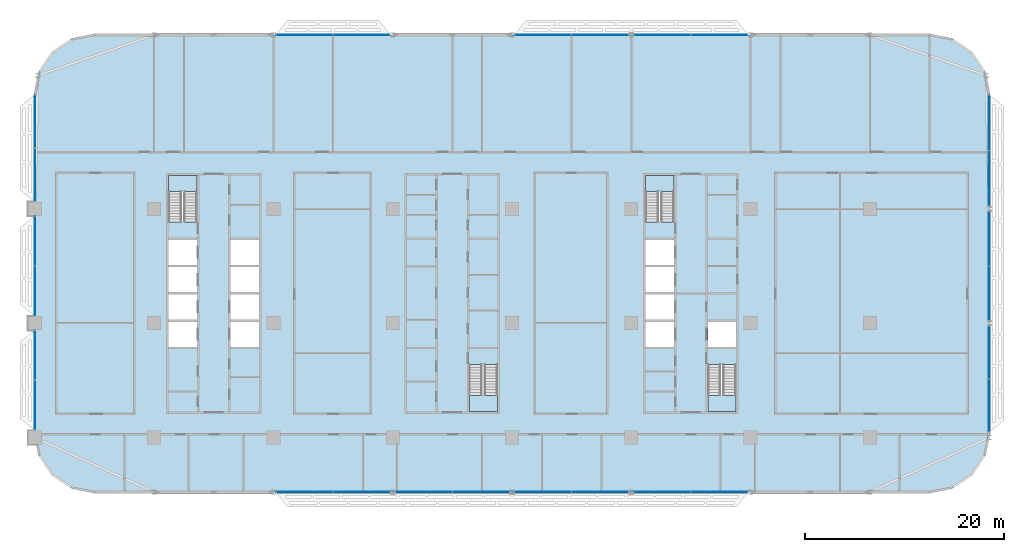
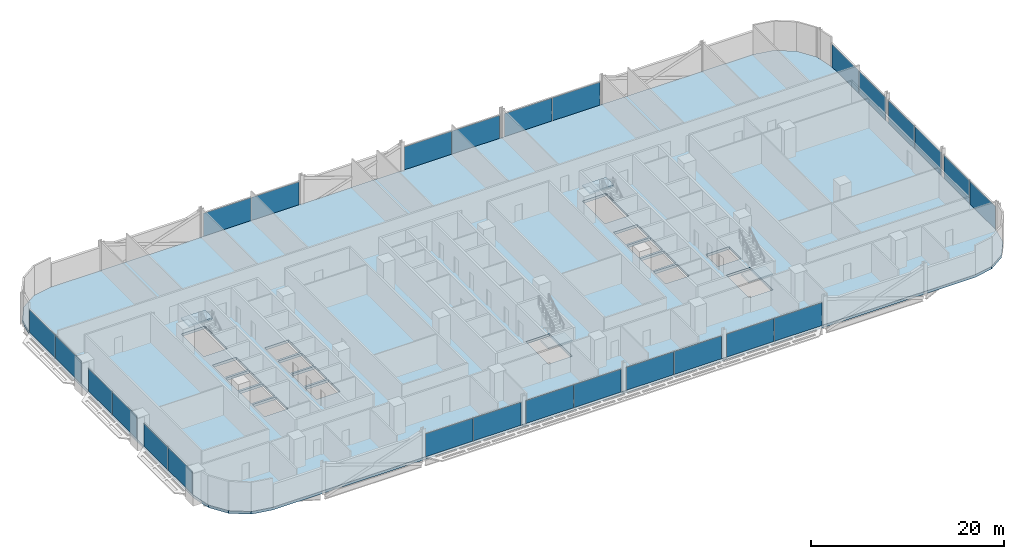
# One storey, part 11 of 29: 26 plates, 5 slabs, 17 elements without a shape of their own.
"""IFC4 building model written with IfcOpenShell, lengths in metres."""

from ifc_helpers import new_model, si_unit, direction, frame, origin, origin_2d, place, context, subcontext, project, spatial, polyline, rectangle, outline, extrude, material, layer, layer_set, type_object, element, aggregate, save


model = new_model("IFC4")

# Units and contexts
model_context = context("Model", 3, precision=1e-05, world=origin(), true_north=direction((0.0, 1.0)))
body_context = subcontext(model_context, "Body", "Model", "MODEL_VIEW")
ifc_project = project(units=[si_unit("LENGTHUNIT", "METRE"), si_unit("AREAUNIT", "SQUARE_METRE"), si_unit("VOLUMEUNIT", "CUBIC_METRE"), si_unit("PLANEANGLEUNIT", "RADIAN"), si_unit("MASSUNIT", "GRAM", prefix="KILO")], contexts=[model_context])

# Site, building, storey
site_placement = place(None, origin())
site = spatial("IfcSite", under=ifc_project, at=site_placement, CompositionType="ELEMENT")
building_placement = place(site_placement, origin())
building = spatial("IfcBuilding", under=site, at=building_placement, Name="Mahtab Terrace Research Tower", CompositionType="ELEMENT")
storey_placement = place(building_placement, frame((0.0, 0.0, 88.89990234375)))
storey = spatial("IfcBuildingStorey", under=building, at=storey_placement, Name="L20", CompositionType="ELEMENT", Elevation=88.89990234375)

# Stair, slab
ifc_material_1 = material(Name="Exit stair half-turn")
stair_type = type_object("IfcStairType", Name="Exit stair half-turn", PredefinedType="HALF_TURN_STAIR", material=ifc_material_1)
stair_1_placement = place(storey_placement, origin())
stair_1 = element("IfcStair", 1, at=stair_1_placement, inside=storey, type_object=stair_type, Name="L20 Protected exit stair ST1", PredefinedType="HALF_TURN_STAIR")
ifc_material_2 = material(Name="Concrete C40/50", Category="concrete")
ifc_layer_1 = layer(ifc_material_2, 0.199951171875)
ifc_layer_set_1 = layer_set([ifc_layer_1], Name="Exit stair landing 200")
slab_type_1 = type_object("IfcSlabType", Name="Exit stair landing 200", PredefinedType="LANDING", material=ifc_layer_set_1)
slab_1_placement = place(storey_placement, frame((0.0, 0.0, 1.85009765625)))
slab_1 = element("IfcSlab", 2, at=slab_1_placement, type_object=slab_type_1, Name="ST1 landing 1", PredefinedType="LANDING", context=body_context, shape_type="SweptSolid", body=[
    extrude(outline(polyline([(-25.699951171875, 13.2548828125), (-25.699951171875, 14.875), (-28.550048828125, 14.875), (-28.550048828125, 13.2548828125), (-25.699951171875, 13.2548828125)])), origin(), (0.0, 0.0, 1.0), 0.199951171875),
])
aggregate(stair_1, [slab_1])

stair_2_placement = place(storey_placement, origin())
stair_2 = element("IfcStair", 3, at=stair_2_placement, inside=storey, type_object=stair_type, Name="L20 Protected exit stair ST2", PredefinedType="HALF_TURN_STAIR")
slab_2_placement = place(storey_placement, frame((0.0, 0.0, 1.85009765625)))
slab_2 = element("IfcSlab", 4, at=slab_2_placement, type_object=slab_type_1, Name="ST2 landing 1", PredefinedType="LANDING", context=body_context, shape_type="SweptSolid", body=[
    extrude(outline(polyline([(1.699951171875, -7.2548828125), (1.699951171875, -8.875), (4.550048828125, -8.875), (4.550048828125, -7.2548828125), (1.699951171875, -7.2548828125)])), origin(), (0.0, 0.0, 1.0), 0.199951171875),
])
aggregate(stair_2, [slab_2])

stair_3_placement = place(storey_placement, origin())
stair_3 = element("IfcStair", 5, at=stair_3_placement, inside=storey, type_object=stair_type, Name="L20 Protected exit stair ST3", PredefinedType="HALF_TURN_STAIR")
slab_3_placement = place(storey_placement, frame((0.0, 0.0, 1.85009765625)))
slab_3 = element("IfcSlab", 6, at=slab_3_placement, type_object=slab_type_1, Name="ST3 landing 1", PredefinedType="LANDING", context=body_context, shape_type="SweptSolid", body=[
    extrude(outline(polyline([(22.300048828125, 13.2548828125), (22.300048828125, 14.875), (19.449951171875, 14.875), (19.449951171875, 13.2548828125), (22.300048828125, 13.2548828125)])), origin(), (0.0, 0.0, 1.0), 0.199951171875),
])
aggregate(stair_3, [slab_3])

stair_4_placement = place(storey_placement, origin())
stair_4 = element("IfcStair", 7, at=stair_4_placement, inside=storey, type_object=stair_type, Name="L20 Protected exit stair ST4", PredefinedType="HALF_TURN_STAIR")
slab_4_placement = place(storey_placement, frame((0.0, 0.0, 1.85009765625)))
slab_4 = element("IfcSlab", 8, at=slab_4_placement, type_object=slab_type_1, Name="ST4 landing 1", PredefinedType="LANDING", context=body_context, shape_type="SweptSolid", body=[
    extrude(outline(polyline([(25.699951171875, -7.2548828125), (25.699951171875, -8.875), (28.550048828125, -8.875), (28.550048828125, -7.2548828125), (25.699951171875, -7.2548828125)])), origin(), (0.0, 0.0, 1.0), 0.199951171875),
])
aggregate(stair_4, [slab_4])

# Curtain wall, plates
ifc_material_3 = material(Name="Laboratory ribbon curtain wall")
curtain_wall_type = type_object("IfcCurtainWallType", Name="Laboratory ribbon curtain wall", PredefinedType="NOTDEFINED", material=ifc_material_3)
curtain_wall_1_placement = place(storey_placement, origin())
curtain_wall_1 = element("IfcCurtainWall", 9, at=curtain_wall_1_placement, inside=storey, type_object=curtain_wall_type, Name="EN.L20.3.5", PredefinedType="NOTDEFINED")
ifc_material_4 = material(Name="Dark glazing", Category="glass")
ifc_layer_2 = layer(ifc_material_4, 0.031982421875)
ifc_layer_set_2 = layer_set([ifc_layer_2], Name="Laboratory ribbon curtain wall glazing panel")
plate_type = type_object("IfcPlateType", Name="Laboratory ribbon curtain wall glazing panel", PredefinedType="CURTAIN_PANEL", material=ifc_layer_set_2)
plate_1_placement = place(storey_placement, frame((26.86962890625, 29.0, 0.0), z_axis=(0.0, 0.0, 1.0), x_axis=(-1.0, 0.0, 0.0)))
plate_1 = element("IfcPlate", 10, at=plate_1_placement, type_object=plate_type, Name="CWL-3 panel 1", PredefinedType="CURTAIN_PANEL", context=body_context, shape_type="SweptSolid", body=[
    extrude(rectangle(XDim=5.674560546875, YDim=0.031982421875, at=origin_2d()), origin(), (0.0, 0.0, 1.0), 2.903076171875),
])
plate_2_placement = place(storey_placement, frame((21.13037109375, 29.0, 0.0), z_axis=(0.0, 0.0, 1.0), x_axis=(-1.0, 0.0, 0.0)))
plate_2 = element("IfcPlate", 11, at=plate_2_placement, type_object=plate_type, Name="CWL-3 panel 2", PredefinedType="CURTAIN_PANEL", context=body_context, shape_type="SweptSolid", body=[
    extrude(rectangle(XDim=5.674560546875, YDim=0.031982421875, at=origin_2d()), origin(), (0.0, 0.0, 1.0), 2.903076171875),
])
aggregate(curtain_wall_1, [plate_1, plate_2])

curtain_wall_2_placement = place(storey_placement, origin())
curtain_wall_2 = element("IfcCurtainWall", 12, at=curtain_wall_2_placement, inside=storey, type_object=curtain_wall_type, Name="EN.L20.3.6", PredefinedType="NOTDEFINED")
plate_3_placement = place(storey_placement, frame((14.86962890625, 29.0, 0.0), z_axis=(0.0, 0.0, 1.0), x_axis=(-1.0, 0.0, 0.0)))
plate_3 = element("IfcPlate", 13, at=plate_3_placement, type_object=plate_type, Name="CWL-3 panel 1", PredefinedType="CURTAIN_PANEL", context=body_context, shape_type="SweptSolid", body=[
    extrude(rectangle(XDim=5.674560546875, YDim=0.031982421875, at=origin_2d()), origin(), (0.0, 0.0, 1.0), 2.903076171875),
])
plate_4_placement = place(storey_placement, frame((9.13037109375, 29.0, 0.0), z_axis=(0.0, 0.0, 1.0), x_axis=(-1.0, 0.0, 0.0)))
plate_4 = element("IfcPlate", 14, at=plate_4_placement, type_object=plate_type, Name="CWL-3 panel 2", PredefinedType="CURTAIN_PANEL", context=body_context, shape_type="SweptSolid", body=[
    extrude(rectangle(XDim=5.674560546875, YDim=0.031982421875, at=origin_2d()), origin(), (0.0, 0.0, 1.0), 2.903076171875),
])
aggregate(curtain_wall_2, [plate_3, plate_4])

curtain_wall_3_placement = place(storey_placement, origin())
curtain_wall_3 = element("IfcCurtainWall", 15, at=curtain_wall_3_placement, inside=storey, type_object=curtain_wall_type, Name="EN.L20.3.8", PredefinedType="NOTDEFINED")
plate_5_placement = place(storey_placement, frame((-9.13037109375, 29.0, 0.0), z_axis=(0.0, 0.0, 1.0), x_axis=(-1.0, 0.0, 0.0)))
plate_5 = element("IfcPlate", 16, at=plate_5_placement, type_object=plate_type, Name="CWL-3 panel 1", PredefinedType="CURTAIN_PANEL", context=body_context, shape_type="SweptSolid", body=[
    extrude(rectangle(XDim=5.674560546875, YDim=0.031982421875, at=origin_2d()), origin(), (0.0, 0.0, 1.0), 2.903076171875),
])
plate_6_placement = place(storey_placement, frame((-14.86962890625, 29.0, 0.0), z_axis=(0.0, 0.0, 1.0), x_axis=(-1.0, 0.0, 0.0)))
plate_6 = element("IfcPlate", 17, at=plate_6_placement, type_object=plate_type, Name="CWL-3 panel 2", PredefinedType="CURTAIN_PANEL", context=body_context, shape_type="SweptSolid", body=[
    extrude(rectangle(XDim=5.674560546875, YDim=0.031982421875, at=origin_2d()), origin(), (0.0, 0.0, 1.0), 2.903076171875),
])
aggregate(curtain_wall_3, [plate_5, plate_6])

curtain_wall_4_placement = place(storey_placement, origin())
curtain_wall_4 = element("IfcCurtainWall", 18, at=curtain_wall_4_placement, inside=storey, type_object=curtain_wall_type, Name="EN.L20.8.16", PredefinedType="NOTDEFINED")
plate_7_placement = place(storey_placement, frame((-42.0, 20.28369140625, 0.0), z_axis=(0.0, 0.0, 1.0), x_axis=(0.0, -1.0, 0.0)))
plate_7 = element("IfcPlate", 19, at=plate_7_placement, type_object=plate_type, Name="CWL-3 panel 1", PredefinedType="CURTAIN_PANEL", context=body_context, shape_type="SweptSolid", body=[
    extrude(rectangle(XDim=5.302490234375, YDim=0.031982421875, at=origin_2d()), origin(), (0.0, 0.0, 1.0), 2.903076171875),
])
plate_8_placement = place(storey_placement, frame((-42.0, 14.916259765625, 0.0), z_axis=(0.0, 0.0, 1.0), x_axis=(0.0, -1.0, 0.0)))
plate_8 = element("IfcPlate", 20, at=plate_8_placement, type_object=plate_type, Name="CWL-3 panel 2", PredefinedType="CURTAIN_PANEL", context=body_context, shape_type="SweptSolid", body=[
    extrude(rectangle(XDim=5.302490234375, YDim=0.031982421875, at=origin_2d()), origin(), (0.0, 0.0, 1.0), 2.903076171875),
])
aggregate(curtain_wall_4, [plate_7, plate_8])

curtain_wall_5_placement = place(storey_placement, origin())
curtain_wall_5 = element("IfcCurtainWall", 21, at=curtain_wall_5_placement, inside=storey, type_object=curtain_wall_type, Name="EN.L20.8.17", PredefinedType="NOTDEFINED")
plate_9_placement = place(storey_placement, frame((-42.0, 8.2587890625, 0.0), z_axis=(0.0, 0.0, 1.0), x_axis=(0.0, -1.0, 0.0)))
plate_9 = element("IfcPlate", 22, at=plate_9_placement, type_object=plate_type, Name="CWL-3 panel 1", PredefinedType="CURTAIN_PANEL", context=body_context, shape_type="SweptSolid", body=[
    extrude(rectangle(XDim=4.952392578125, YDim=0.031982421875, at=origin_2d()), origin(), (0.0, 0.0, 1.0), 2.903076171875),
])
plate_10_placement = place(storey_placement, frame((-42.0, 3.2412109375, 0.0), z_axis=(0.0, 0.0, 1.0), x_axis=(0.0, -1.0, 0.0)))
plate_10 = element("IfcPlate", 23, at=plate_10_placement, type_object=plate_type, Name="CWL-3 panel 2", PredefinedType="CURTAIN_PANEL", context=body_context, shape_type="SweptSolid", body=[
    extrude(rectangle(XDim=4.952392578125, YDim=0.031982421875, at=origin_2d()), origin(), (0.0, 0.0, 1.0), 2.903076171875),
])
aggregate(curtain_wall_5, [plate_9, plate_10])

curtain_wall_6_placement = place(storey_placement, origin())
curtain_wall_6 = element("IfcCurtainWall", 24, at=curtain_wall_6_placement, inside=storey, type_object=curtain_wall_type, Name="EN.L20.8.18", PredefinedType="NOTDEFINED")
plate_11_placement = place(storey_placement, frame((-42.0, -3.2412109375, 0.0), z_axis=(0.0, 0.0, 1.0), x_axis=(0.0, -1.0, 0.0)))
plate_11 = element("IfcPlate", 25, at=plate_11_placement, type_object=plate_type, Name="CWL-3 panel 1", PredefinedType="CURTAIN_PANEL", context=body_context, shape_type="SweptSolid", body=[
    extrude(rectangle(XDim=4.952392578125, YDim=0.031982421875, at=origin_2d()), origin(), (0.0, 0.0, 1.0), 2.903076171875),
])
plate_12_placement = place(storey_placement, frame((-42.0, -8.2587890625, 0.0), z_axis=(0.0, 0.0, 1.0), x_axis=(0.0, -1.0, 0.0)))
plate_12 = element("IfcPlate", 26, at=plate_12_placement, type_object=plate_type, Name="CWL-3 panel 2", PredefinedType="CURTAIN_PANEL", context=body_context, shape_type="SweptSolid", body=[
    extrude(rectangle(XDim=4.952392578125, YDim=0.031982421875, at=origin_2d()), origin(), (0.0, 0.0, 1.0), 2.903076171875),
])
aggregate(curtain_wall_6, [plate_11, plate_12])

curtain_wall_7_placement = place(storey_placement, origin())
curtain_wall_7 = element("IfcCurtainWall", 27, at=curtain_wall_7_placement, inside=storey, type_object=curtain_wall_type, Name="EN.L20.13.25", PredefinedType="NOTDEFINED")
plate_13_placement = place(storey_placement, frame((-14.86962890625, -17.0, 0.0), z_axis=(0.0, 0.0, 1.0), x_axis=(1.0, 0.0, 0.0)))
plate_13 = element("IfcPlate", 28, at=plate_13_placement, type_object=plate_type, Name="CWL-3 panel 1", PredefinedType="CURTAIN_PANEL", context=body_context, shape_type="SweptSolid", body=[
    extrude(rectangle(XDim=5.674560546875, YDim=0.031982421875, at=origin_2d()), origin(), (0.0, 0.0, 1.0), 2.903076171875),
])
plate_14_placement = place(storey_placement, frame((-9.13037109375, -17.0, 0.0), z_axis=(0.0, 0.0, 1.0), x_axis=(1.0, 0.0, 0.0)))
plate_14 = element("IfcPlate", 29, at=plate_14_placement, type_object=plate_type, Name="CWL-3 panel 2", PredefinedType="CURTAIN_PANEL", context=body_context, shape_type="SweptSolid", body=[
    extrude(rectangle(XDim=5.674560546875, YDim=0.031982421875, at=origin_2d()), origin(), (0.0, 0.0, 1.0), 2.903076171875),
])
aggregate(curtain_wall_7, [plate_13, plate_14])

curtain_wall_8_placement = place(storey_placement, origin())
curtain_wall_8 = element("IfcCurtainWall", 30, at=curtain_wall_8_placement, inside=storey, type_object=curtain_wall_type, Name="EN.L20.13.26", PredefinedType="NOTDEFINED")
plate_15_placement = place(storey_placement, frame((-2.86962890625, -17.0, 0.0), z_axis=(0.0, 0.0, 1.0), x_axis=(1.0, 0.0, 0.0)))
plate_15 = element("IfcPlate", 31, at=plate_15_placement, type_object=plate_type, Name="CWL-3 panel 1", PredefinedType="CURTAIN_PANEL", context=body_context, shape_type="SweptSolid", body=[
    extrude(rectangle(XDim=5.674560546875, YDim=0.031982421875, at=origin_2d()), origin(), (0.0, 0.0, 1.0), 2.903076171875),
])
plate_16_placement = place(storey_placement, frame((2.86962890625, -17.0, 0.0), z_axis=(0.0, 0.0, 1.0), x_axis=(1.0, 0.0, 0.0)))
plate_16 = element("IfcPlate", 32, at=plate_16_placement, type_object=plate_type, Name="CWL-3 panel 2", PredefinedType="CURTAIN_PANEL", context=body_context, shape_type="SweptSolid", body=[
    extrude(rectangle(XDim=5.674560546875, YDim=0.031982421875, at=origin_2d()), origin(), (0.0, 0.0, 1.0), 2.903076171875),
])
aggregate(curtain_wall_8, [plate_15, plate_16])

curtain_wall_9_placement = place(storey_placement, origin())
curtain_wall_9 = element("IfcCurtainWall", 33, at=curtain_wall_9_placement, inside=storey, type_object=curtain_wall_type, Name="EN.L20.13.27", PredefinedType="NOTDEFINED")
plate_17_placement = place(storey_placement, frame((9.13037109375, -17.0, 0.0), z_axis=(0.0, 0.0, 1.0), x_axis=(1.0, 0.0, 0.0)))
plate_17 = element("IfcPlate", 34, at=plate_17_placement, type_object=plate_type, Name="CWL-3 panel 1", PredefinedType="CURTAIN_PANEL", context=body_context, shape_type="SweptSolid", body=[
    extrude(rectangle(XDim=5.674560546875, YDim=0.031982421875, at=origin_2d()), origin(), (0.0, 0.0, 1.0), 2.903076171875),
])
plate_18_placement = place(storey_placement, frame((14.86962890625, -17.0, 0.0), z_axis=(0.0, 0.0, 1.0), x_axis=(1.0, 0.0, 0.0)))
plate_18 = element("IfcPlate", 35, at=plate_18_placement, type_object=plate_type, Name="CWL-3 panel 2", PredefinedType="CURTAIN_PANEL", context=body_context, shape_type="SweptSolid", body=[
    extrude(rectangle(XDim=5.674560546875, YDim=0.031982421875, at=origin_2d()), origin(), (0.0, 0.0, 1.0), 2.903076171875),
])
aggregate(curtain_wall_9, [plate_17, plate_18])

curtain_wall_10_placement = place(storey_placement, origin())
curtain_wall_10 = element("IfcCurtainWall", 36, at=curtain_wall_10_placement, inside=storey, type_object=curtain_wall_type, Name="EN.L20.13.28", PredefinedType="NOTDEFINED")
plate_19_placement = place(storey_placement, frame((21.13037109375, -17.0, 0.0), z_axis=(0.0, 0.0, 1.0), x_axis=(1.0, 0.0, 0.0)))
plate_19 = element("IfcPlate", 37, at=plate_19_placement, type_object=plate_type, Name="CWL-3 panel 1", PredefinedType="CURTAIN_PANEL", context=body_context, shape_type="SweptSolid", body=[
    extrude(rectangle(XDim=5.674560546875, YDim=0.031982421875, at=origin_2d()), origin(), (0.0, 0.0, 1.0), 2.903076171875),
])
plate_20_placement = place(storey_placement, frame((26.86962890625, -17.0, 0.0), z_axis=(0.0, 0.0, 1.0), x_axis=(1.0, 0.0, 0.0)))
plate_20 = element("IfcPlate", 38, at=plate_20_placement, type_object=plate_type, Name="CWL-3 panel 2", PredefinedType="CURTAIN_PANEL", context=body_context, shape_type="SweptSolid", body=[
    extrude(rectangle(XDim=5.674560546875, YDim=0.031982421875, at=origin_2d()), origin(), (0.0, 0.0, 1.0), 2.903076171875),
])
aggregate(curtain_wall_10, [plate_19, plate_20])

curtain_wall_11_placement = place(storey_placement, origin())
curtain_wall_11 = element("IfcCurtainWall", 39, at=curtain_wall_11_placement, inside=storey, type_object=curtain_wall_type, Name="EN.L20.18.36", PredefinedType="NOTDEFINED")
plate_21_placement = place(storey_placement, frame((54.0, -8.290771484375, 0.0), z_axis=(0.0, 0.0, 1.0), x_axis=(0.0, 1.0, 0.0)))
plate_21 = element("IfcPlate", 40, at=plate_21_placement, type_object=plate_type, Name="CWL-3 panel 1", PredefinedType="CURTAIN_PANEL", context=body_context, shape_type="SweptSolid", body=[
    extrude(rectangle(XDim=5.28857421875, YDim=0.031982421875, at=origin_2d()), origin(), (0.0, 0.0, 1.0), 2.903076171875),
])
plate_22_placement = place(storey_placement, frame((54.0, -2.937255859375, 0.0), z_axis=(0.0, 0.0, 1.0), x_axis=(0.0, 1.0, 0.0)))
plate_22 = element("IfcPlate", 41, at=plate_22_placement, type_object=plate_type, Name="CWL-3 panel 2", PredefinedType="CURTAIN_PANEL", context=body_context, shape_type="SweptSolid", body=[
    extrude(rectangle(XDim=5.28857421875, YDim=0.031982421875, at=origin_2d()), origin(), (0.0, 0.0, 1.0), 2.903076171875),
])
aggregate(curtain_wall_11, [plate_21, plate_22])

curtain_wall_12_placement = place(storey_placement, origin())
curtain_wall_12 = element("IfcCurtainWall", 42, at=curtain_wall_12_placement, inside=storey, type_object=curtain_wall_type, Name="EN.L20.18.37", PredefinedType="NOTDEFINED")
plate_23_placement = place(storey_placement, frame((54.0, 3.00537109375, 0.0), z_axis=(0.0, 0.0, 1.0), x_axis=(0.0, 1.0, 0.0)))
plate_23 = element("IfcPlate", 43, at=plate_23_placement, type_object=plate_type, Name="CWL-3 panel 1", PredefinedType="CURTAIN_PANEL", context=body_context, shape_type="SweptSolid", body=[
    extrude(rectangle(XDim=5.424560546875, YDim=0.031982421875, at=origin_2d()), origin(), (0.0, 0.0, 1.0), 2.903076171875),
])
plate_24_placement = place(storey_placement, frame((54.0, 8.49462890625, 0.0), z_axis=(0.0, 0.0, 1.0), x_axis=(0.0, 1.0, 0.0)))
plate_24 = element("IfcPlate", 44, at=plate_24_placement, type_object=plate_type, Name="CWL-3 panel 2", PredefinedType="CURTAIN_PANEL", context=body_context, shape_type="SweptSolid", body=[
    extrude(rectangle(XDim=5.424560546875, YDim=0.031982421875, at=origin_2d()), origin(), (0.0, 0.0, 1.0), 2.903076171875),
])
aggregate(curtain_wall_12, [plate_23, plate_24])

curtain_wall_13_placement = place(storey_placement, origin())
curtain_wall_13 = element("IfcCurtainWall", 45, at=curtain_wall_13_placement, inside=storey, type_object=curtain_wall_type, Name="EN.L20.18.38", PredefinedType="NOTDEFINED")
plate_25_placement = place(storey_placement, frame((54.0, 14.562255859375, 0.0), z_axis=(0.0, 0.0, 1.0), x_axis=(0.0, 1.0, 0.0)))
plate_25 = element("IfcPlate", 46, at=plate_25_placement, type_object=plate_type, Name="CWL-3 panel 1", PredefinedType="CURTAIN_PANEL", context=body_context, shape_type="SweptSolid", body=[
    extrude(rectangle(XDim=5.53857421875, YDim=0.031982421875, at=origin_2d()), origin(), (0.0, 0.0, 1.0), 2.903076171875),
])
plate_26_placement = place(storey_placement, frame((54.0, 20.165771484375, 0.0), z_axis=(0.0, 0.0, 1.0), x_axis=(0.0, 1.0, 0.0)))
plate_26 = element("IfcPlate", 47, at=plate_26_placement, type_object=plate_type, Name="CWL-3 panel 2", PredefinedType="CURTAIN_PANEL", context=body_context, shape_type="SweptSolid", body=[
    extrude(rectangle(XDim=5.53857421875, YDim=0.031982421875, at=origin_2d()), origin(), (0.0, 0.0, 1.0), 2.903076171875),
])
aggregate(curtain_wall_13, [plate_25, plate_26])

# Slab
ifc_layer_3 = layer(ifc_material_2, 0.340087890625)
ifc_layer_set_3 = layer_set([ifc_layer_3], Name="PT flat slab 340")
slab_type_2 = type_object("IfcSlabType", Name="PT flat slab 340", PredefinedType="FLOOR", material=ifc_layer_set_3)
slab_5_placement = place(storey_placement, frame((0.0, 0.0, -0.33984375)))
element("IfcSlab", 48, at=slab_5_placement, inside=storey, type_object=slab_type_2, Name="Floor slab L20", PredefinedType="FLOOR", context=body_context, shape_type="SweptSolid", body=[
    extrude(outline(polyline([(53.54296875, 25.2958984375), (52.242919921875, 27.242919921875), (50.2958984375, 28.54296875), (48.0, 29.0), (-36.0, 29.0), (-38.2958984375, 28.54296875), (-40.242919921875, 27.242919921875), (-41.54296875, 25.2958984375), (-42.0, 23.0), (-42.0, -11.0), (-41.54296875, -13.2958984375), (-40.242919921875, -15.242919921875), (-38.2958984375, -16.54296875), (-36.0, -17.0), (48.0, -17.0), (50.2958984375, -16.54296875), (52.242919921875, -15.242919921875), (53.54296875, -13.2958984375), (54.0, -11.0), (54.0, 23.0), (53.54296875, 25.2958984375)]), holes=[polyline([(-28.550048828125, -2.375), (-28.550048828125, 0.125), (-25.699951171875, 0.125), (-25.699951171875, -2.375), (-28.550048828125, -2.375)]), polyline([(-22.300048828125, -2.375), (-22.300048828125, 0.125), (-19.449951171875, 0.125), (-19.449951171875, -2.375), (-22.300048828125, -2.375)]), polyline([(-28.550048828125, 0.375), (-28.550048828125, 2.875), (-25.699951171875, 2.875), (-25.699951171875, 0.375), (-28.550048828125, 0.375)]), polyline([(-22.300048828125, 0.375), (-22.300048828125, 2.875), (-19.449951171875, 2.875), (-19.449951171875, 0.375), (-22.300048828125, 0.375)]), polyline([(-28.550048828125, 3.125), (-28.550048828125, 5.625), (-25.699951171875, 5.625), (-25.699951171875, 3.125), (-28.550048828125, 3.125)]), polyline([(-22.300048828125, 3.125), (-22.300048828125, 5.625), (-19.449951171875, 5.625), (-19.449951171875, 3.125), (-22.300048828125, 3.125)]), polyline([(-28.550048828125, 5.875), (-28.550048828125, 8.375), (-25.699951171875, 8.375), (-25.699951171875, 5.875), (-28.550048828125, 5.875)]), polyline([(-22.300048828125, 5.875), (-22.300048828125, 8.375), (-19.449951171875, 8.375), (-19.449951171875, 5.875), (-22.300048828125, 5.875)]), polyline([(-28.550048828125, 10.177001953125), (-28.550048828125, 14.875), (-25.699951171875, 14.875), (-25.699951171875, 10.177001953125), (-28.550048828125, 10.177001953125)]), polyline([(1.699951171875, -8.875), (1.699951171875, -4.177001953125), (4.550048828125, -4.177001953125), (4.550048828125, -8.875), (1.699951171875, -8.875)]), polyline([(25.699951171875, -8.875), (25.699951171875, -4.177001953125), (28.550048828125, -4.177001953125), (28.550048828125, -8.875), (25.699951171875, -8.875)]), polyline([(19.449951171875, -2.375), (19.449951171875, 0.125), (22.300048828125, 0.125), (22.300048828125, -2.375), (19.449951171875, -2.375)]), polyline([(25.699951171875, -2.375), (25.699951171875, 0.125), (28.550048828125, 0.125), (28.550048828125, -2.375), (25.699951171875, -2.375)]), polyline([(19.449951171875, 0.375), (19.449951171875, 2.875), (22.300048828125, 2.875), (22.300048828125, 0.375), (19.449951171875, 0.375)]), polyline([(19.449951171875, 3.125), (19.449951171875, 5.625), (22.300048828125, 5.625), (22.300048828125, 3.125), (19.449951171875, 3.125)]), polyline([(19.449951171875, 8.375), (22.300048828125, 8.375), (22.300048828125, 5.875), (19.449951171875, 5.875), (19.449951171875, 8.375)]), polyline([(19.449951171875, 14.875), (22.300048828125, 14.875), (22.300048828125, 10.177001953125), (19.449951171875, 10.177001953125), (19.449951171875, 14.875)])]), origin(), (0.0, 0.0, 1.0), 0.33984375),
])

save(model, "model.ifc")
